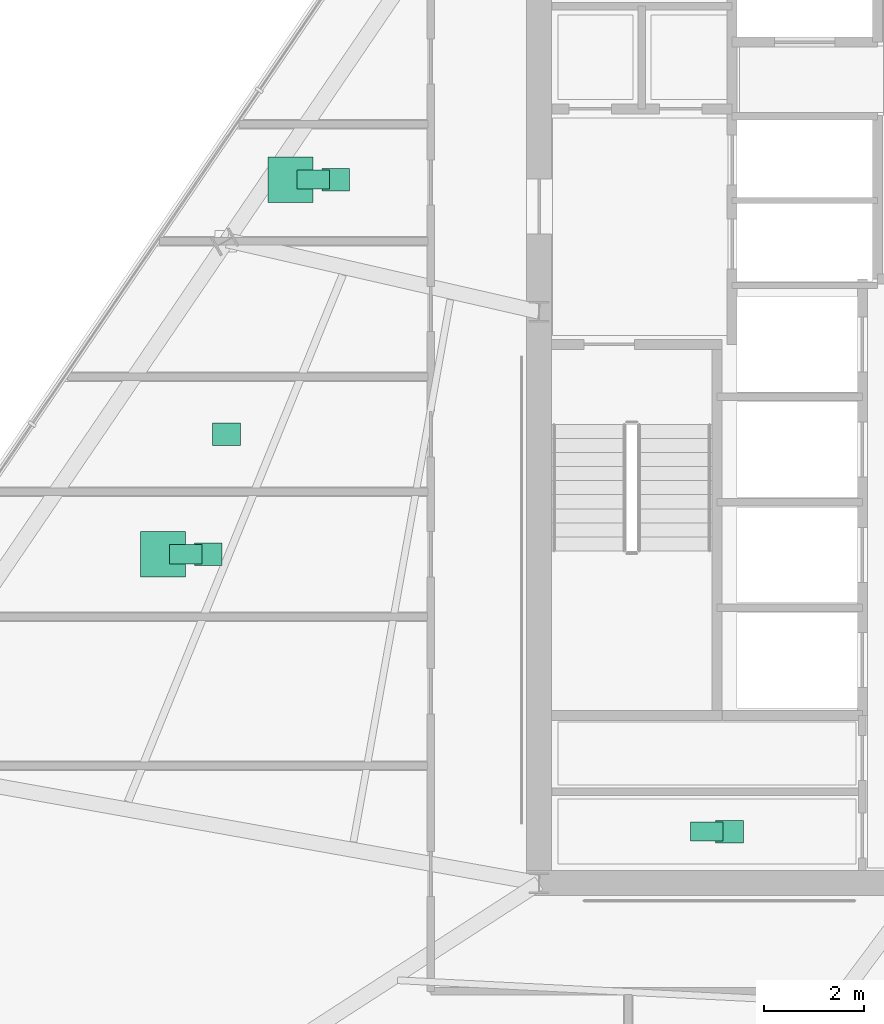
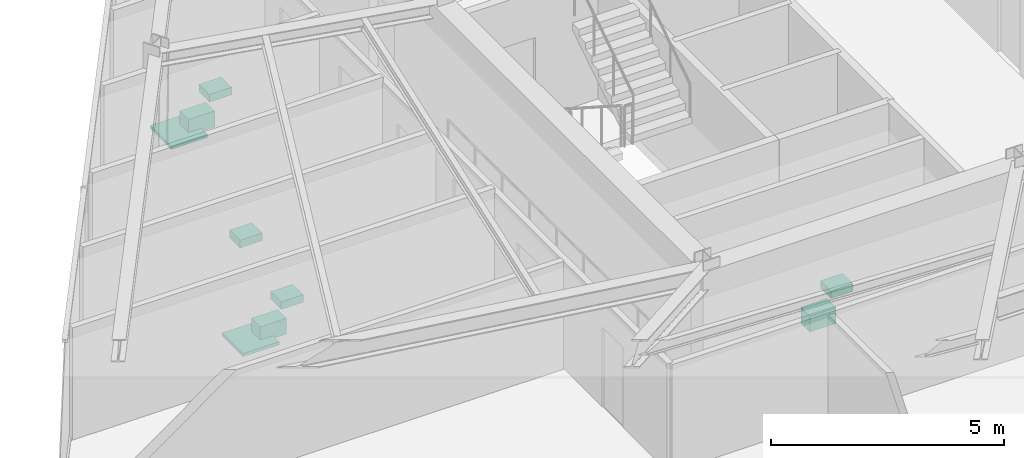
# One storey, part 16 of 16: 9 sanitary terminals.
"""IFC4 building model written with IfcOpenShell, lengths in metres."""

from ifc_helpers import new_model, si_unit, direction, frame, origin, origin_2d, place, context, subcontext, project, spatial, rectangle, extrude, material, type_object, element, save


model = new_model("IFC4")

# Units and contexts
model_context = context("Model", 3, precision=1e-05, world=origin(), true_north=direction((0.0, 1.0)))
body_context = subcontext(model_context, "Body", "Model", "MODEL_VIEW")
ifc_project = project(units=[si_unit("LENGTHUNIT", "METRE"), si_unit("AREAUNIT", "SQUARE_METRE"), si_unit("VOLUMEUNIT", "CUBIC_METRE"), si_unit("PLANEANGLEUNIT", "RADIAN"), si_unit("MASSUNIT", "GRAM", prefix="KILO")], contexts=[model_context])

# Site, building, storey
site_placement = place(None, origin())
site = spatial("IfcSite", under=ifc_project, at=site_placement, CompositionType="ELEMENT")
building_placement = place(site_placement, origin())
building = spatial("IfcBuilding", under=site, at=building_placement, Name="Savorim Split Tower", CompositionType="ELEMENT")
storey_placement = place(building_placement, frame((0.0, 0.0, 160.199951171875)))
storey = spatial("IfcBuildingStorey", under=building, at=storey_placement, Name="L42", CompositionType="ELEMENT", Elevation=160.199951171875)

# Sanitary terminals
ifc_material = material(Name="Vitreous China Sanitaryware")
sanitary_terminal_type_1 = type_object("IfcSanitaryTerminalType", Name="SAN-SHW-900", PredefinedType="SHOWER", material=ifc_material)
for number, where, z_axis, x_axis, name in (
    (1, (-15.19970703125, -2.837646484375, 0.0), (0.0, 0.0, 1.0), (1.0, 0.0, 0.0), "L42 Shared Bathroom Shower"),
    (2, (-12.657958984375, 4.635009765625, 0.0), (0.0, 0.0, 1.0), (1.0, 0.0, 0.0), "L42 Shared Bathroom Shower"),
):
    element("IfcSanitaryTerminal", number, at=place(storey_placement, frame(where, z_axis=z_axis, x_axis=x_axis)), inside=storey, type_object=sanitary_terminal_type_1, Name=name, PredefinedType="SHOWER", context=body_context, shape_type="SweptSolid", body=[
        extrude(rectangle(XDim=0.89990234375, YDim=0.89990234375, at=origin_2d()), origin(), (0.0, 0.0, 1.0), 0.080078125),
    ])
sanitary_terminal_type_2 = type_object("IfcSanitaryTerminalType", Name="SAN-WC-PAN", PredefinedType="TOILETPAN", material=ifc_material)
for number, where, z_axis, x_axis, name in (
    (3, (-4.35009765625, -8.3701171875, 0.0), (0.0, 0.0, 1.0), (1.0, 0.0, 0.0), "L42 Public WC WC Pan"),
    (4, (-14.749755859375, -2.837646484375, 0.0), (0.0, 0.0, 1.0), (1.0, 0.0, 0.0), "L42 Shared Bathroom WC Pan"),
    (5, (-12.2080078125, 4.635009765625, 0.0), (0.0, 0.0, 1.0), (1.0, 0.0, 0.0), "L42 Shared Bathroom WC Pan"),
):
    element("IfcSanitaryTerminal", number, at=place(storey_placement, frame(where, z_axis=z_axis, x_axis=x_axis)), inside=storey, type_object=sanitary_terminal_type_2, Name=name, PredefinedType="TOILETPAN", context=body_context, shape_type="SweptSolid", body=[
        extrude(rectangle(XDim=0.64990234375, YDim=0.3798828125, at=origin_2d()), origin(), (0.0, 0.0, 1.0), 0.419921875),
    ])
sanitary_terminal_type_3 = type_object("IfcSanitaryTerminalType", Name="SAN-WHB-550", PredefinedType="WASHHANDBASIN", material=ifc_material)
for number, where, z_axis, x_axis, name in (
    (6, (-3.89990234375, -8.3701171875, 0.72021484375), (0.0, 0.0, 1.0), (1.0, 0.0, 0.0), "L42 Public WC Washhand Basin"),
    (7, (-13.935302734375, -0.443115234375, 0.75), (0.0, 0.0, 1.0), (1.0, 0.0, 0.0), "L42 Shared Kitchen Utility Sink"),
    (8, (-14.2998046875, -2.837646484375, 0.72021484375), (0.0, 0.0, 1.0), (1.0, 0.0, 0.0), "L42 Shared Bathroom Washhand Basin"),
    (9, (-11.758056640625, 4.635009765625, 0.72021484375), (0.0, 0.0, 1.0), (1.0, 0.0, 0.0), "L42 Shared Bathroom Washhand Basin"),
):
    element("IfcSanitaryTerminal", number, at=place(storey_placement, frame(where, z_axis=z_axis, x_axis=x_axis)), inside=storey, type_object=sanitary_terminal_type_3, Name=name, PredefinedType="WASHHANDBASIN", context=body_context, shape_type="SweptSolid", body=[
        extrude(rectangle(XDim=0.550048828125, YDim=0.449951171875, at=origin_2d()), origin(), (0.0, 0.0, 1.0), 0.199951171875),
    ])

save(model, "model.ifc")
